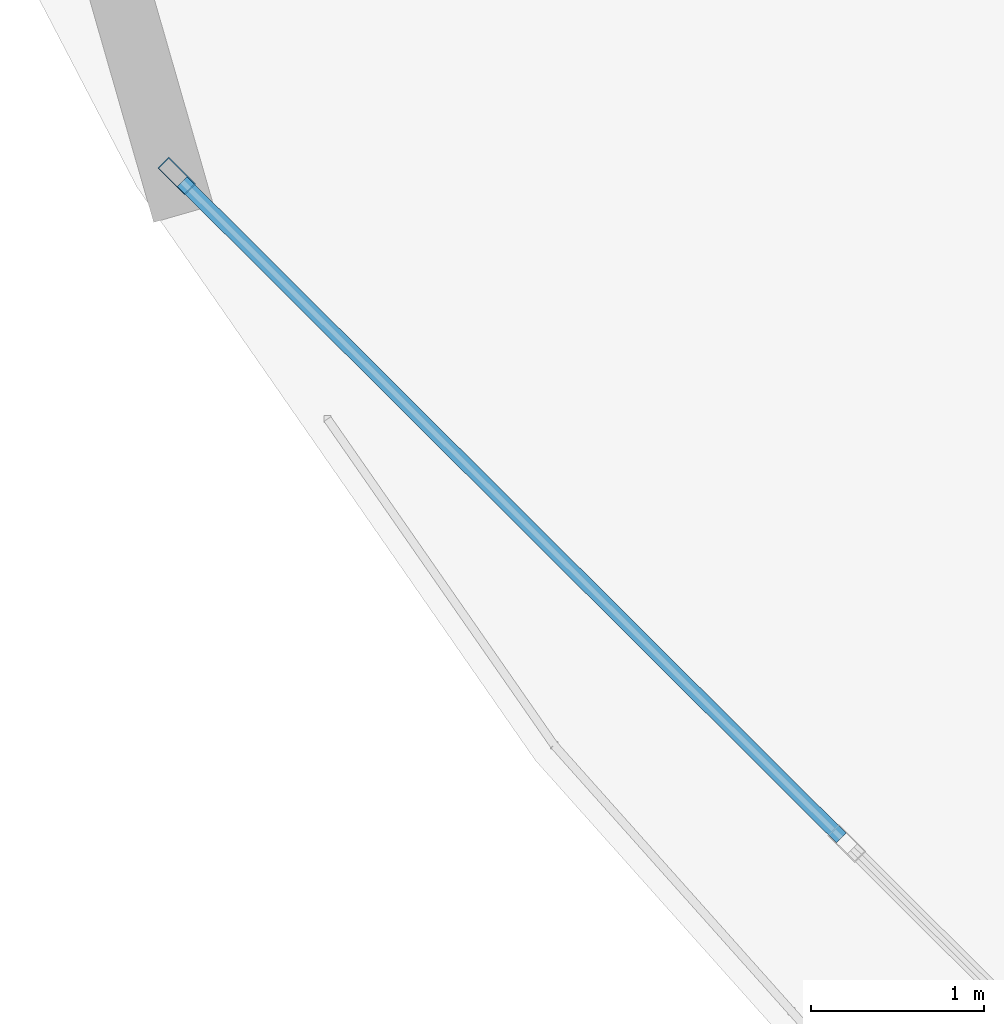
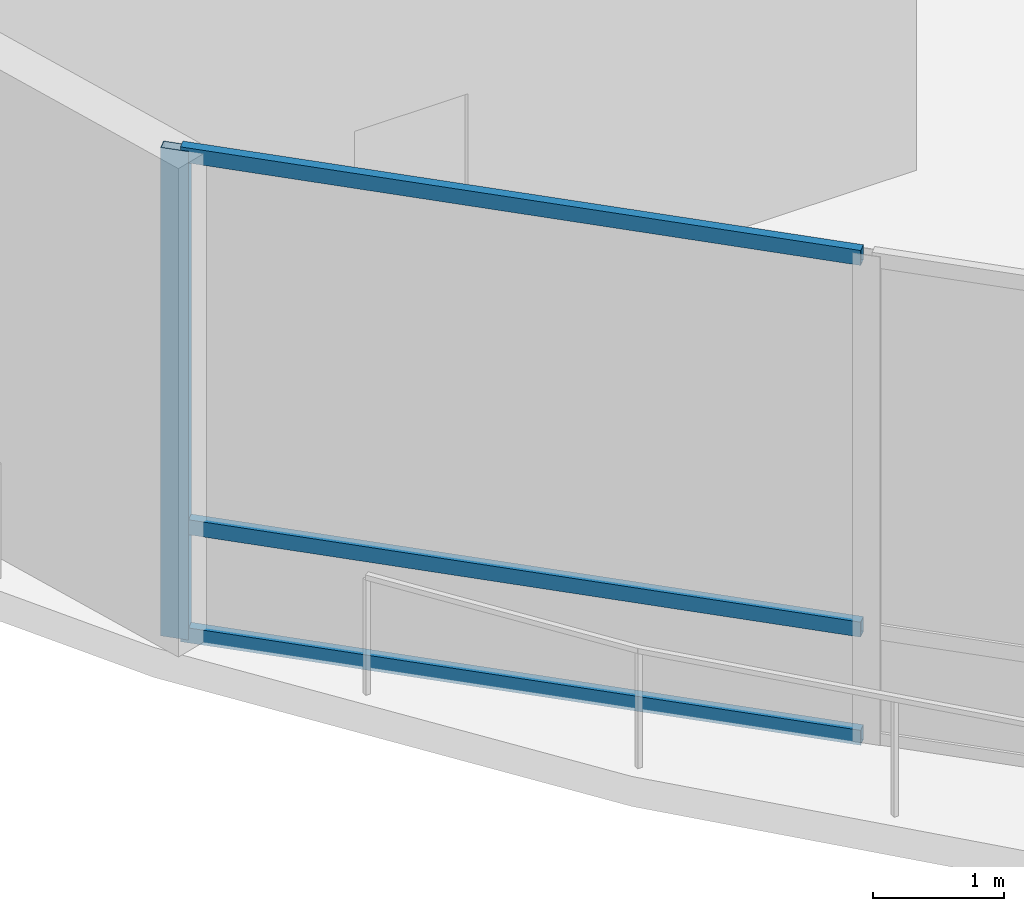
# One storey, part 4 of 26: 4 members, 1 element without a shape of its own.
"""IFC4 building model written with IfcOpenShell, lengths in metres."""

from ifc_helpers import new_model, si_unit, direction, frame, origin, origin_2d, place, context, subcontext, project, spatial, hollow_rectangle, extrude, material, layer, layer_set, material_profile, profile_set, type_object, element, aggregate, save


model = new_model("IFC4")

# Units and contexts
model_context = context("Model", 3, precision=1e-05, world=origin(), true_north=direction((0.0, 1.0)))
body_context = subcontext(model_context, "Body", "Model", "MODEL_VIEW")
ifc_project = project(units=[si_unit("LENGTHUNIT", "METRE"), si_unit("AREAUNIT", "SQUARE_METRE"), si_unit("VOLUMEUNIT", "CUBIC_METRE"), si_unit("PLANEANGLEUNIT", "RADIAN"), si_unit("MASSUNIT", "GRAM", prefix="KILO")], contexts=[model_context])

# Site, building, storey
site_placement = place(None, origin())
site = spatial("IfcSite", under=ifc_project, at=site_placement, CompositionType="ELEMENT")
building_placement = place(site_placement, origin())
building = spatial("IfcBuilding", under=site, at=building_placement, Name="Kazevale Care Tower and Concert Hall", CompositionType="ELEMENT")
storey_placement = place(building_placement, frame((0.0, 0.0, 19.199951171875)))
storey = spatial("IfcBuildingStorey", under=building, at=storey_placement, Name="L04", CompositionType="ELEMENT", Elevation=19.199951171875)

# Curtain wall, members
ifc_material_1 = material(Name="Aluminium 6063-T6 and Low-E Glass", Category="aluminium")
ifc_layer = layer(ifc_material_1, 0.179931640625)
ifc_layer_set = layer_set([ifc_layer], Name="Aluminium 6063-T6 and Low-E Glass")
curtain_wall_type = type_object("IfcCurtainWallType", Name="Podium Double-Skin Medical Curtain Wall CW-1", PredefinedType="NOTDEFINED", material=ifc_layer_set)
curtain_wall_placement = place(storey_placement, origin())
curtain_wall = element("IfcCurtainWall", 1, at=curtain_wall_placement, inside=storey, type_object=curtain_wall_type, Name="cw:L04:pod:09", PredefinedType="NOTDEFINED")
ifc_material_2 = material(Name="Aluminium 6063-T6", Category="aluminium")
ifc_material_profile_1 = material_profile(ifc_material_2, hollow_rectangle(XDim=0.090087890625, YDim=0.219970703125, WallThickness=0.0048828125, at=origin_2d()), Name="ALU90x220x5")
ifc_profile_set_1 = profile_set([ifc_material_profile_1], Name="Aluminium 6063-T6")
member_type_1 = type_object("IfcMemberType", Name="CW-1 Mullion ALU90x220x5", PredefinedType="MULLION", material=ifc_profile_set_1)
member_1_placement = place(storey_placement, frame((6.93896484375, 23.398193359375, 0.0), z_axis=(0.0, 0.0, 1.0), x_axis=(0.705655814257, 0.708554776856, 0.0)))
member_1 = element("IfcMember", 2, at=member_1_placement, type_object=member_type_1, Name="CW-1 mullion 1", PredefinedType="MULLION", context=body_context, shape_type="SweptSolid", body=[
    extrude(hollow_rectangle(XDim=0.090087890625, YDim=0.219970703125, WallThickness=0.0048828125, at=origin_2d()), origin(), (0.0, 0.0, 1.0), 4.56005859375),
])
ifc_material_profile_2 = material_profile(ifc_material_2, hollow_rectangle(XDim=0.080078125, YDim=0.139892578125, WallThickness=0.00390625, at=origin_2d()), Name="ALU80x140x4")
ifc_profile_set_2 = profile_set([ifc_material_profile_2], Name="Aluminium 6063-T6")
member_type_2 = type_object("IfcMemberType", Name="CW-1 Transom ALU80x140x4", PredefinedType="USERDEFINED", material=ifc_profile_set_2)
member_2_placement = place(storey_placement, frame((6.970703125, 23.366455078125, 0.0400390625), z_axis=(0.708578901075, -0.705631590103, 0.0), x_axis=(0.705631590103, 0.708578901075, 0.0)))
member_2 = element("IfcMember", 3, at=member_2_placement, type_object=member_type_2, Name="CW-1 transom 1.1", ObjectType="TRANSOM", PredefinedType="USERDEFINED", context=body_context, shape_type="SweptSolid", body=[
    extrude(hollow_rectangle(XDim=0.080078125, YDim=0.139892578125, WallThickness=0.00390625, at=origin_2d()), origin(), (0.0, 0.0, 1.0), 5.38427734375),
])
member_3_placement = place(storey_placement, frame((6.970703125, 23.366455078125, 1.050048828125), z_axis=(0.708578901075, -0.705631590103, 0.0), x_axis=(0.705631590103, 0.708578901075, 0.0)))
member_3 = element("IfcMember", 4, at=member_3_placement, type_object=member_type_2, Name="CW-1 transom 1.2", ObjectType="TRANSOM", PredefinedType="USERDEFINED", context=body_context, shape_type="SweptSolid", body=[
    extrude(hollow_rectangle(XDim=0.080078125, YDim=0.139892578125, WallThickness=0.00390625, at=origin_2d()), origin(), (0.0, 0.0, 1.0), 5.38427734375),
])
member_4_placement = place(storey_placement, frame((6.970703125, 23.366455078125, 4.52001953125), z_axis=(0.708578901075, -0.705631590103, 0.0), x_axis=(0.705631590103, 0.708578901075, 0.0)))
member_4 = element("IfcMember", 5, at=member_4_placement, type_object=member_type_2, Name="CW-1 transom 1.3", ObjectType="TRANSOM", PredefinedType="USERDEFINED", context=body_context, shape_type="SweptSolid", body=[
    extrude(hollow_rectangle(XDim=0.080078125, YDim=0.139892578125, WallThickness=0.00390625, at=origin_2d()), origin(), (0.0, 0.0, 1.0), 5.38427734375),
])
aggregate(curtain_wall, [member_1, member_2, member_3, member_4])

save(model, "model.ifc")
